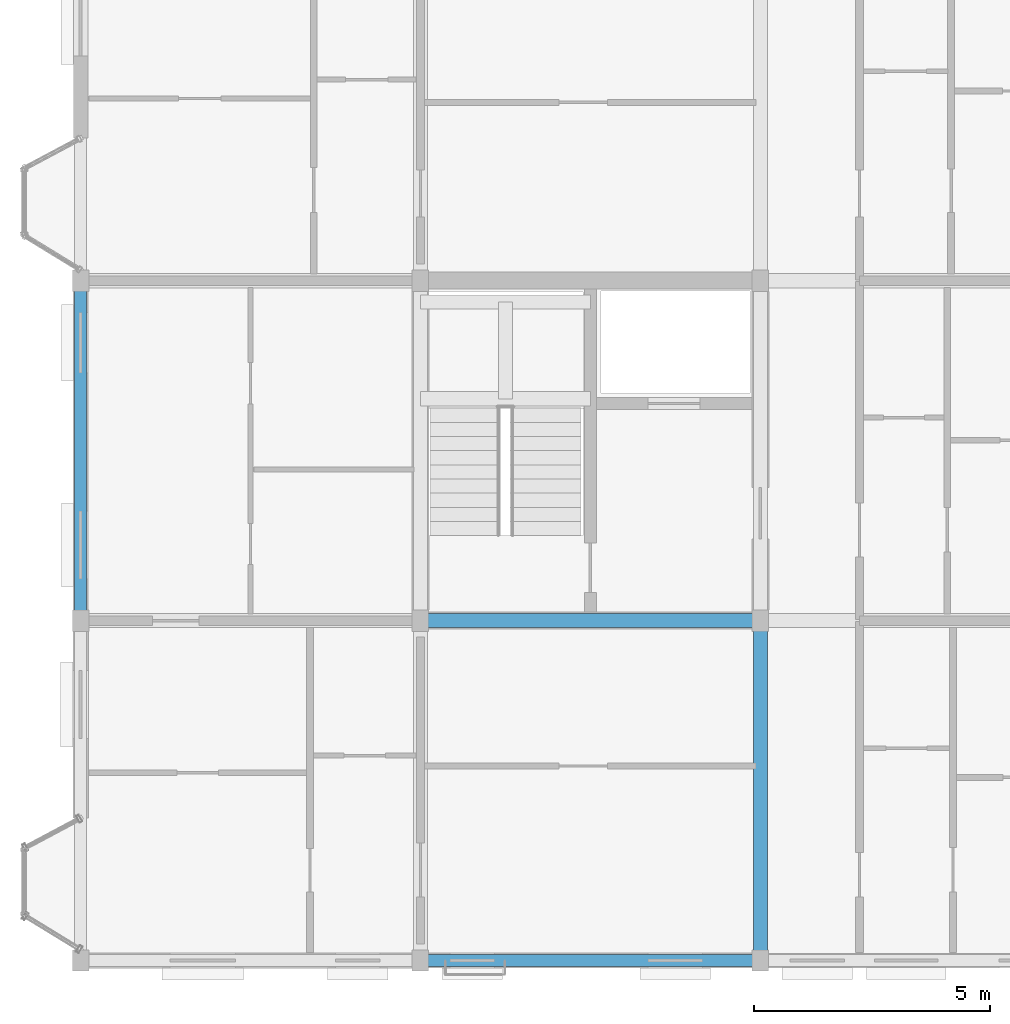
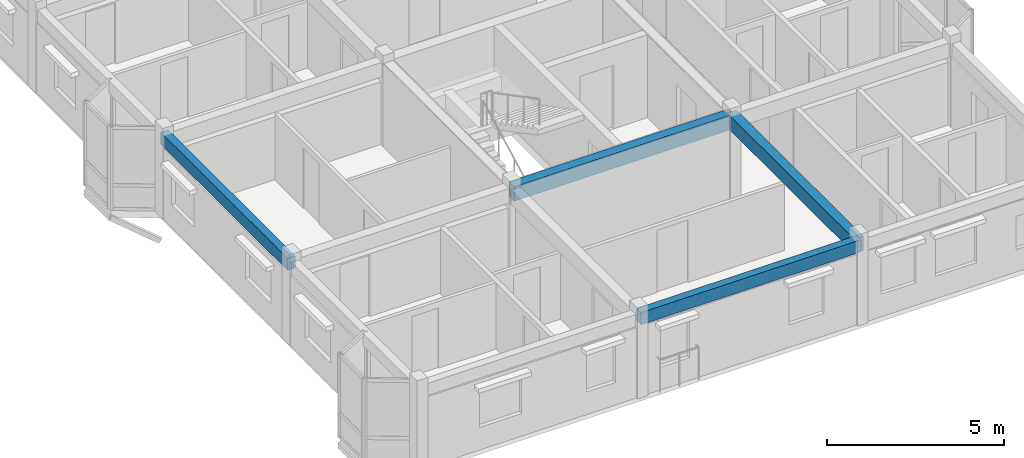
# One storey, part 3 of 22: 4 beams.
"""IFC4 building model written with IfcOpenShell, lengths in metres."""

import ifcopenshell
import ifcopenshell.guid

model = None  # the IFC model being written
_history = None  # IfcOwnerHistory: only IFC2X3 demands one
_inside = {}  # id of a spatial element -> (the spatial element, [elements in it])
_under = {}  # id of a project, library or spatial element -> (it, [spatial elements below it])
_declared = {}  # id of a project -> (the project, [libraries it declares])
_typed = {}  # id of a type object -> (the type object, [elements of that type])
_made_of = {}  # id of a material, layer set ... -> (it, [elements and type objects made of it])


def new_model(schema):
    """Start an empty IFC model of exactly this schema.

    Asked for "IFC4X3", IfcOpenShell would pick the latest addendum, in which some entities
    have other attributes; the version numbers below select the first issue.
    IFC2X3 requires an IfcOwnerHistory on every rooted entity: one is made here for all.
    """
    global model, _history
    if schema == "IFC4X3":
        model = ifcopenshell.file(schema_version=(4, 3, 0, 0))
    else:
        model = ifcopenshell.file(schema=schema)
    _inside.clear()
    _under.clear()
    _declared.clear()
    _typed.clear()
    _made_of.clear()
    _history = None
    if model.schema == "IFC2X3":
        org = make("IfcOrganization", Name="unknown")
        user = make(
            "IfcPersonAndOrganization",
            ThePerson=make("IfcPerson", FamilyName="unknown"),
            TheOrganization=org,
        )
        app = make(
            "IfcApplication",
            ApplicationDeveloper=org,
            Version="unknown",
            ApplicationFullName="unknown",
            ApplicationIdentifier="unknown",
        )
        _history = make(
            "IfcOwnerHistory",
            OwningUser=user,
            OwningApplication=app,
            ChangeAction="ADDED",
            CreationDate=0,
        )
    return model


def make(cls, **values):
    """One entity of the class cls with the attributes given. An attribute that is None is left unset."""
    return model.create_entity(
        cls, **{name: value for name, value in values.items() if value is not None}
    )


def rooted(cls, **values):
    """An entity with a GlobalId (a new one), such as an element, a storey or a relation."""
    return make(cls, GlobalId=ifcopenshell.guid.new(), OwnerHistory=_history, **values)


def si_unit(unit_type, name, prefix=None):
    """IfcSIUnit, for example si_unit("LENGTHUNIT", "METRE", prefix="MILLI")."""
    return make("IfcSIUnit", UnitType=unit_type, Prefix=prefix, Name=name)


def assignment(units):
    """IfcUnitAssignment: the units of a project."""
    return None if units is None else make("IfcUnitAssignment", Units=units)


def point(xyz):
    """IfcCartesianPoint."""
    return None if xyz is None else make("IfcCartesianPoint", Coordinates=xyz)


def direction(xyz):
    """IfcDirection."""
    return None if xyz is None else make("IfcDirection", DirectionRatios=xyz)


def frame(location, z_axis=None, x_axis=None):
    """IfcAxis2Placement3D, a coordinate frame: its origin and axes. An axis left out is left unset."""
    return make(
        "IfcAxis2Placement3D",
        Location=point(location),
        Axis=direction(z_axis),
        RefDirection=direction(x_axis),
    )


def frame_2d(location, x_axis=None):
    """IfcAxis2Placement2D, a coordinate frame in the plane: its origin and x axis."""
    return make(
        "IfcAxis2Placement2D", Location=point(location), RefDirection=direction(x_axis)
    )


def origin():
    """The frame at (0, 0, 0) with its axes left unset."""
    return frame((0.0, 0.0, 0.0))


def origin_2d():
    """The frame at (0, 0) in the plane with its x axis left unset."""
    return frame_2d((0.0, 0.0))


def place(relative_to, where):
    """IfcLocalPlacement: puts the frame where relative to a parent placement (None: the world)."""
    return make(
        "IfcLocalPlacement", PlacementRelTo=relative_to, RelativePlacement=where
    )


def context(
    kind, dimensions, precision=None, world=None, true_north=None, identifier=None
):
    """IfcGeometricRepresentationContext, for example the 3D "Model" context."""
    return make(
        "IfcGeometricRepresentationContext",
        ContextIdentifier=identifier,
        ContextType=kind,
        CoordinateSpaceDimension=dimensions,
        Precision=precision,
        WorldCoordinateSystem=world,
        TrueNorth=true_north,
    )


def subcontext(parent, identifier, kind, view, scale=None):
    """IfcGeometricRepresentationSubContext, for example "Body" below "Model"."""
    return make(
        "IfcGeometricRepresentationSubContext",
        ContextIdentifier=identifier,
        ContextType=kind,
        ParentContext=parent,
        TargetScale=scale,
        TargetView=view,
    )


def project(units=None, contexts=None):
    """IfcProject with its units and contexts."""
    return rooted(
        "IfcProject",
        Name="project",
        RepresentationContexts=contexts,
        UnitsInContext=assignment(units),
    )


def spatial(cls, under=None, at=None, **own):
    """A site, building, storey or space (cls), placed at a placement, below another one or the project."""
    s = rooted(cls, ObjectPlacement=at, **own)
    if under is not None:
        _under.setdefault(under.id(), (under, []))[1].append(s)
    return s


def profile(cls, at=None, kind="AREA", **sizes):
    """A parametric profile (cls). Its sizes go by their IFC names, for example OverallWidth=200.0."""
    return make(cls, ProfileType=kind, Position=at, **sizes)


def rectangle(**sizes):
    """IfcRectangleProfileDef."""
    return profile("IfcRectangleProfileDef", **sizes)


def extrude(swept, where, along, depth):
    """IfcExtrudedAreaSolid: the profile swept, set in the frame where, extruded along a direction by depth."""
    return make(
        "IfcExtrudedAreaSolid",
        SweptArea=swept,
        Position=where,
        ExtrudedDirection=direction(along),
        Depth=depth,
    )


def shape(context_of_items, identifier, shape_type, items):
    """IfcShapeRepresentation: the items that make up one representation, for example the "Body"."""
    return make(
        "IfcShapeRepresentation",
        ContextOfItems=context_of_items,
        RepresentationIdentifier=identifier,
        RepresentationType=shape_type,
        Items=items,
    )


def material(Name=None, Category=None):
    """IfcMaterial."""
    return make("IfcMaterial", Name=Name, Category=Category)


def material_profile(
    of_material, cross_section, Name=None, Category=None, Priority=None
):
    """IfcMaterialProfile: a cross section and its material."""
    return make(
        "IfcMaterialProfile",
        Name=Name,
        Material=of_material,
        Profile=cross_section,
        Priority=Priority,
        Category=Category,
    )


def profile_set(profiles, Name=None, composite=None):
    """IfcMaterialProfileSet."""
    return make(
        "IfcMaterialProfileSet",
        Name=Name,
        MaterialProfiles=profiles,
        CompositeProfile=composite,
    )


def made_of(thing, what):
    """Note that an element or type object is made of a material, layer set ...; save() writes the relation."""
    if what is not None:
        _made_of.setdefault(what.id(), (what, []))[1].append(thing)
    return thing


def type_object(cls, material=None, **own):
    """A type object (cls), such as IfcWallType, which elements share."""
    return made_of(rooted(cls, **own), material)


def element(
    cls,
    number,
    at=None,
    inside=None,
    cuts=None,
    type_object=None,
    material=None,
    context=None,
    identifier="Body",
    shape_type=None,
    held_by="IfcProductDefinitionShape",
    body=None,
    shapes=None,
    **own,
):
    """One element of the class cls, such as IfcWall. Its Tag is "e" and its number.

    at: its placement. inside: the storey or other place that contains it. cuts: it is an
    opening in that element (IfcRelVoidsElement). A single representation is given by context,
    identifier, shape_type and body (its items); several are given by shapes. held_by: the class
    of the entity that holds the representations. save() writes the other relations.
    """
    e = rooted(cls, Tag="e%d" % number, ObjectPlacement=at, **own)
    if body is not None:
        shapes = [shape(context, identifier, shape_type, body)]
    if shapes is not None:
        e.Representation = make(held_by, Representations=shapes)
    if inside is not None:
        _inside.setdefault(inside.id(), (inside, []))[1].append(e)
    if cuts is not None:
        rooted(
            "IfcRelVoidsElement", RelatingBuildingElement=cuts, RelatedOpeningElement=e
        )
    if type_object is not None:
        _typed.setdefault(type_object.id(), (type_object, []))[1].append(e)
    return made_of(e, material)


def aggregate(whole, parts):
    """IfcRelAggregates: a whole, such as a stair, and the parts it consists of."""
    return rooted("IfcRelAggregates", RelatingObject=whole, RelatedObjects=parts)


def save(model, path):
    """Write the relations noted so far, then the file.

    IfcRelAggregates (storeys below a building ...), IfcRelContainedInSpatialStructure (elements
    in a storey), IfcRelDefinesByType, IfcRelAssociatesMaterial and IfcRelDeclares: one each for
    every whole, place, type object, material and project.
    """
    for whole, parts in _under.values():
        aggregate(whole, parts)
    for where, things in _inside.values():
        rooted(
            "IfcRelContainedInSpatialStructure",
            RelatedElements=things,
            RelatingStructure=where,
        )
    for kind, things in _typed.values():
        rooted("IfcRelDefinesByType", RelatedObjects=things, RelatingType=kind)
    for what, things in _made_of.values():
        rooted("IfcRelAssociatesMaterial", RelatedObjects=things, RelatingMaterial=what)
    for by, libraries in _declared.values():
        rooted("IfcRelDeclares", RelatingContext=by, RelatedDefinitions=libraries)
    model.write(path)


model = new_model("IFC4")

# Units and contexts
model_context = context("Model", 3, precision=1e-05, world=origin(), true_north=direction((0.0, 1.0)))
body_context = subcontext(model_context, "Body", "Model", "MODEL_VIEW")
ifc_project = project(units=[si_unit("LENGTHUNIT", "METRE"), si_unit("AREAUNIT", "SQUARE_METRE"), si_unit("VOLUMEUNIT", "CUBIC_METRE"), si_unit("PLANEANGLEUNIT", "RADIAN"), si_unit("MASSUNIT", "GRAM", prefix="KILO"), si_unit("THERMODYNAMICTEMPERATUREUNIT", "KELVIN"), si_unit("POWERUNIT", "WATT")], contexts=[model_context])

# Site, building, storey
site_placement = place(None, origin())
site = spatial("IfcSite", under=ifc_project, at=site_placement, CompositionType="ELEMENT")
building_placement = place(site_placement, origin())
building = spatial("IfcBuilding", under=site, at=building_placement, Name="Tavuni Mirador Residences", CompositionType="ELEMENT")
storey_placement = place(building_placement, frame((0.0, 0.0, 45.449951171875)))
storey = spatial("IfcBuildingStorey", under=building, at=storey_placement, Name="L14", CompositionType="ELEMENT", Elevation=45.449951171875)

# Beams
ifc_material = material(Name="Precast concrete C40/50", Category="concrete")
ifc_material_profile_1 = material_profile(ifc_material, rectangle(XDim=0.300048828125, YDim=0.5, at=origin_2d()), Name="PC 300x500", Category="concrete")
ifc_profile_set_1 = profile_set([ifc_material_profile_1], Name="Precast concrete C40/50")
beam_type_1 = type_object("IfcBeamType", Name="BT-B500", PredefinedType="BEAM", material=ifc_profile_set_1)
for number, where, z_axis, x_axis, name in (
    (1, (10.800048828125, 14.39990234375, 2.6201171875), (1.0, 0.0, 0.0), (0.0, 1.0, 0.0), "BMX-BLK-A-L14-01-01"),
    (2, (18.0, 7.199951171875, 2.6201171875), (0.0, 1.0, 0.0), (-1.0, 0.0, 0.0), "BMY-BLK-A-L14-02-00"),
):
    element("IfcBeam", number, at=place(storey_placement, frame(where, z_axis=z_axis, x_axis=x_axis)), inside=storey, type_object=beam_type_1, Name=name, PredefinedType="BEAM", context=body_context, shape_type="SweptSolid", body=[
        extrude(rectangle(XDim=0.300048828125, YDim=0.5, at=origin_2d()), origin(), (0.0, 0.0, 1.0), 7.199951171875),
    ])
ifc_material_profile_2 = material_profile(ifc_material, rectangle(XDim=0.25, YDim=0.419921875, at=origin_2d()), Name="PC 250x420", Category="concrete")
ifc_profile_set_2 = profile_set([ifc_material_profile_2], Name="Precast concrete C40/50")
beam_type_2 = type_object("IfcBeamType", Name="BT-SP420", PredefinedType="SPANDREL", material=ifc_profile_set_2)
beam_1_placement = place(storey_placement, frame((10.800048828125, 7.199951171875, 2.66015625), z_axis=(1.0, 0.0, 0.0), x_axis=(0.0, 1.0, 0.0)))
element("IfcBeam", 3, at=beam_1_placement, inside=storey, type_object=beam_type_2, Name="BMX-BLK-A-L14-01-00", PredefinedType="SPANDREL", context=body_context, shape_type="SweptSolid", body=[
    extrude(rectangle(XDim=0.25, YDim=0.419921875, at=origin_2d()), origin(), (0.0, 0.0, 1.0), 7.199951171875),
])
beam_2_placement = place(storey_placement, frame((3.60009765625, 14.39990234375, 2.66015625), z_axis=(0.0, 1.0, 0.0), x_axis=(-1.0, 0.0, 0.0)))
element("IfcBeam", 4, at=beam_2_placement, inside=storey, type_object=beam_type_2, Name="BMY-BLK-A-L14-00-01", PredefinedType="SPANDREL", context=body_context, shape_type="SweptSolid", body=[
    extrude(rectangle(XDim=0.25, YDim=0.419921875, at=origin_2d()), origin(), (0.0, 0.0, 1.0), 7.2001953125),
])

save(model, "model.ifc")
